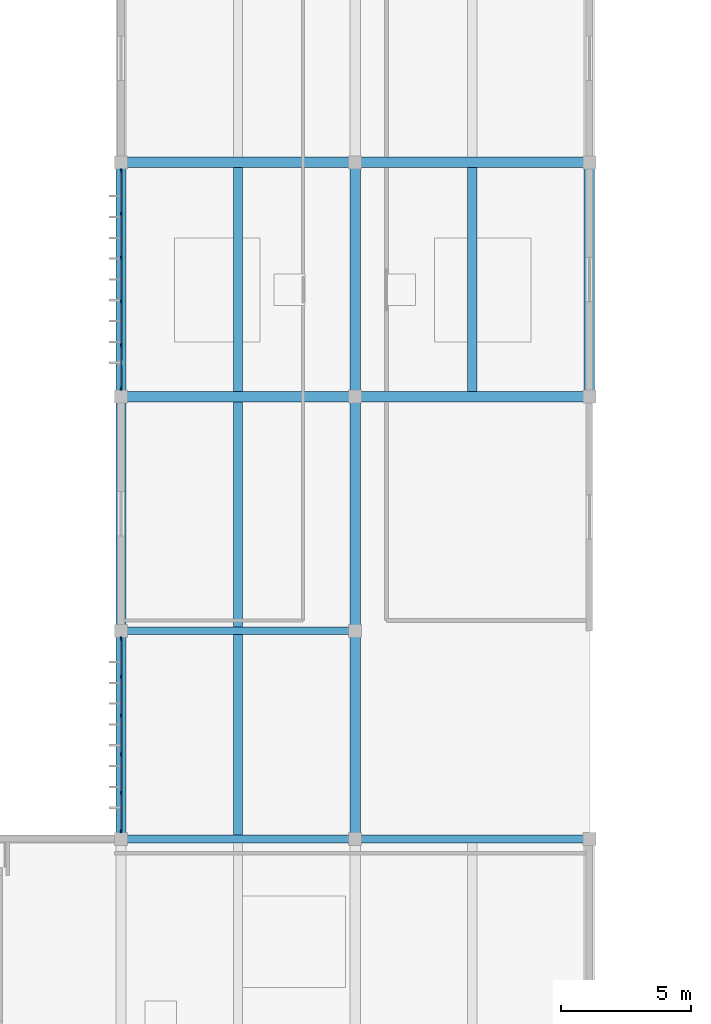
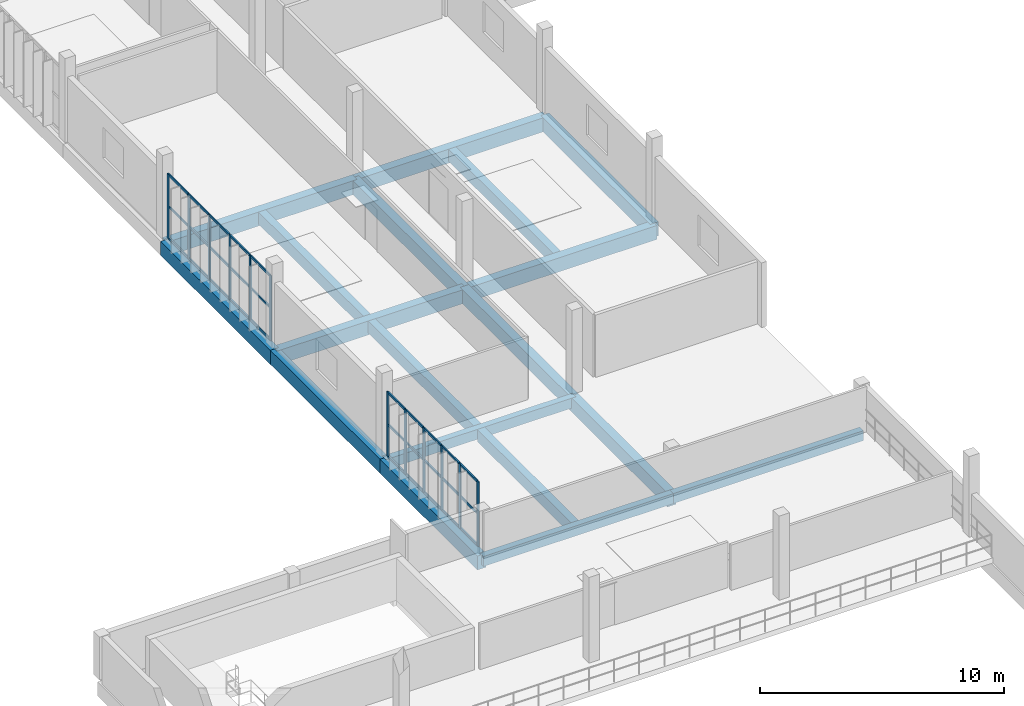
# One storey, part 2 of 27: 42 members, 18 beams, 2 elements without a shape of their own.
"""IFC4 building model written with IfcOpenShell, lengths in metres."""

from ifc_helpers import new_model, si_unit, direction, frame, origin, origin_2d, place, context, subcontext, project, spatial, rectangle, extrude, material, material_profile, profile_set, type_object, element, aggregate, save


model = new_model("IFC4")

# Units and contexts
model_context = context("Model", 3, precision=1e-05, world=origin(), true_north=direction((0.0, 1.0)))
body_context = subcontext(model_context, "Body", "Model", "MODEL_VIEW")
ifc_project = project(units=[si_unit("LENGTHUNIT", "METRE"), si_unit("AREAUNIT", "SQUARE_METRE"), si_unit("VOLUMEUNIT", "CUBIC_METRE"), si_unit("PLANEANGLEUNIT", "RADIAN"), si_unit("MASSUNIT", "GRAM", prefix="KILO")], contexts=[model_context])

# Site, building, storey
site_placement = place(None, origin())
site = spatial("IfcSite", under=ifc_project, at=site_placement, CompositionType="ELEMENT")
building_placement = place(site_placement, origin())
building = spatial("IfcBuilding", under=site, at=building_placement, Name="Vourika Railside Aquatics Centre", CompositionType="ELEMENT")
storey_placement = place(building_placement, frame((0.0, 0.0, 13.5)))
storey = spatial("IfcBuildingStorey", under=building, at=storey_placement, Name="L03", CompositionType="ELEMENT", Elevation=13.5)

# Beams
ifc_material_1 = material(Name="Concrete C35/45", Category="concrete")
ifc_material_profile_1 = material_profile(ifc_material_1, rectangle(XDim=0.39990234375, YDim=0.699951171875, at=origin_2d()), Name="RC 400x700")
ifc_profile_set_1 = profile_set([ifc_material_profile_1], Name="Concrete C35/45")
beam_type_1 = type_object("IfcBeamType", Name="BM-GIRD-400x700", PredefinedType="BEAM", material=ifc_profile_set_1)
for number, where, z_axis, x_axis, name in (
    (1, (18.0, 75.0, -0.610107421875), (1.0, 0.0, 0.0), (0.0, 1.0, 0.0), "Floor Beam GX-L03-026"),
    (2, (27.0, 75.0, -0.610107421875), (1.0, 0.0, 0.0), (0.0, 1.0, 0.0), "Floor Beam GX-L03-027"),
    (3, (18.0, 84.0, -0.610107421875), (1.0, 0.0, 0.0), (0.0, 1.0, 0.0), "Floor Beam GX-L03-031"),
    (4, (27.0, 84.0, -0.610107421875), (1.0, 0.0, 0.0), (0.0, 1.0, 0.0), "Floor Beam GX-L03-032"),
):
    element("IfcBeam", number, at=place(storey_placement, frame(where, z_axis=z_axis, x_axis=x_axis)), inside=storey, type_object=beam_type_1, Name=name, PredefinedType="BEAM", context=body_context, shape_type="SweptSolid", body=[
        extrude(rectangle(XDim=0.39990234375, YDim=0.699951171875, at=origin_2d()), origin(), (0.0, 0.0, 1.0), 9.0),
    ])
beam_1_placement = place(storey_placement, frame((18.0, 58.0, -0.610107421875), z_axis=(0.0, 1.0, 0.0), x_axis=(-1.0, 0.0, 0.0)))
element("IfcBeam", 5, at=beam_1_placement, inside=storey, type_object=beam_type_1, Name="Floor Girder GY-L03-105", PredefinedType="BEAM", context=body_context, shape_type="SweptSolid", body=[
    extrude(rectangle(XDim=0.39990234375, YDim=0.699951171875, at=origin_2d()), origin(), (0.0, 0.0, 1.0), 8.0),
])
for number, where, z_axis, x_axis, name in (
    (6, (18.0, 66.0, -0.610107421875), (0.0, 1.0, 0.0), (-1.0, 0.0, 0.0), "Floor Girder GY-L03-106"),
    (7, (18.0, 75.0, -0.610107421875), (0.0, 1.0, 0.0), (-1.0, 0.0, 0.0), "Floor Girder GY-L03-107"),
):
    element("IfcBeam", number, at=place(storey_placement, frame(where, z_axis=z_axis, x_axis=x_axis)), inside=storey, type_object=beam_type_1, Name=name, PredefinedType="BEAM", context=body_context, shape_type="SweptSolid", body=[
        extrude(rectangle(XDim=0.39990234375, YDim=0.699951171875, at=origin_2d()), origin(), (0.0, 0.0, 1.0), 9.0),
    ])
beam_2_placement = place(storey_placement, frame((27.0, 58.0, -0.610107421875), z_axis=(0.0, 1.0, 0.0), x_axis=(-1.0, 0.0, 0.0)))
element("IfcBeam", 8, at=beam_2_placement, inside=storey, type_object=beam_type_1, Name="Floor Girder GY-L03-113", PredefinedType="BEAM", context=body_context, shape_type="SweptSolid", body=[
    extrude(rectangle(XDim=0.39990234375, YDim=0.699951171875, at=origin_2d()), origin(), (0.0, 0.0, 1.0), 8.0),
])
for number, where, z_axis, x_axis, name in (
    (9, (27.0, 66.0, -0.610107421875), (0.0, 1.0, 0.0), (-1.0, 0.0, 0.0), "Floor Girder GY-L03-114"),
    (10, (27.0, 75.0, -0.610107421875), (0.0, 1.0, 0.0), (-1.0, 0.0, 0.0), "Floor Girder GY-L03-115"),
    (11, (36.0, 75.0, -0.610107421875), (0.0, 1.0, 0.0), (-1.0, 0.0, 0.0), "Floor Girder GY-L03-123"),
):
    element("IfcBeam", number, at=place(storey_placement, frame(where, z_axis=z_axis, x_axis=x_axis)), inside=storey, type_object=beam_type_1, Name=name, PredefinedType="BEAM", context=body_context, shape_type="SweptSolid", body=[
        extrude(rectangle(XDim=0.39990234375, YDim=0.699951171875, at=origin_2d()), origin(), (0.0, 0.0, 1.0), 9.0),
    ])
ifc_material_profile_2 = material_profile(ifc_material_1, rectangle(XDim=0.35009765625, YDim=0.60009765625, at=origin_2d()), Name="RC 350x600")
ifc_profile_set_2 = profile_set([ifc_material_profile_2], Name="Concrete C35/45")
beam_type_2 = type_object("IfcBeamType", Name="BM-SEC-350x600", PredefinedType="JOIST", material=ifc_profile_set_2)
beam_3_placement = place(storey_placement, frame((22.5, 58.14990234375, -0.56005859375), z_axis=(0.0, 1.0, 0.0), x_axis=(-1.0, 0.0, 0.0)))
element("IfcBeam", 12, at=beam_3_placement, inside=storey, type_object=beam_type_2, Name="Secondary Joist JY-L03-196", PredefinedType="JOIST", context=body_context, shape_type="SweptSolid", body=[
    extrude(rectangle(XDim=0.35009765625, YDim=0.60009765625, at=origin_2d()), origin(), (0.0, 0.0, 1.0), 7.7001953125),
])
beam_4_placement = place(storey_placement, frame((22.5, 66.14990234375, -0.56005859375), z_axis=(0.0, 1.0, 0.0), x_axis=(-1.0, 0.0, 0.0)))
element("IfcBeam", 13, at=beam_4_placement, inside=storey, type_object=beam_type_2, Name="Secondary Joist JY-L03-200", PredefinedType="JOIST", context=body_context, shape_type="SweptSolid", body=[
    extrude(rectangle(XDim=0.35009765625, YDim=0.60009765625, at=origin_2d()), origin(), (0.0, 0.0, 1.0), 8.650146484375),
])
for number, where, z_axis, x_axis, name in (
    (14, (22.5, 75.199951171875, -0.56005859375), (0.0, 1.0, 0.0), (-1.0, 0.0, 0.0), "Secondary Joist JY-L03-204"),
    (15, (31.5, 75.199951171875, -0.56005859375), (0.0, 1.0, 0.0), (-1.0, 0.0, 0.0), "Secondary Joist JY-L03-205"),
):
    element("IfcBeam", number, at=place(storey_placement, frame(where, z_axis=z_axis, x_axis=x_axis)), inside=storey, type_object=beam_type_2, Name=name, PredefinedType="JOIST", context=body_context, shape_type="SweptSolid", body=[
        extrude(rectangle(XDim=0.35009765625, YDim=0.60009765625, at=origin_2d()), origin(), (0.0, 0.0, 1.0), 8.60009765625),
    ])
ifc_material_profile_3 = material_profile(ifc_material_1, rectangle(XDim=0.300048828125, YDim=0.5, at=origin_2d()), Name="RC 300x500")
ifc_profile_set_3 = profile_set([ifc_material_profile_3], Name="Concrete C35/45")
beam_type_3 = type_object("IfcBeamType", Name="BM-SPAN-300x500", PredefinedType="SPANDREL", material=ifc_profile_set_3)
for number, where, z_axis, x_axis, name in (
    (16, (18.0, 58.0, -0.510009765625), (1.0, 0.0, 0.0), (0.0, 1.0, 0.0), "Floor Beam GX-L03-017"),
    (17, (27.0, 58.0, -0.510009765625), (1.0, 0.0, 0.0), (0.0, 1.0, 0.0), "Floor Beam GX-L03-018"),
    (18, (18.0, 66.0, -0.510009765625), (1.0, 0.0, 0.0), (0.0, 1.0, 0.0), "Floor Beam GX-L03-022"),
):
    element("IfcBeam", number, at=place(storey_placement, frame(where, z_axis=z_axis, x_axis=x_axis)), inside=storey, type_object=beam_type_3, Name=name, PredefinedType="SPANDREL", context=body_context, shape_type="SweptSolid", body=[
        extrude(rectangle(XDim=0.300048828125, YDim=0.5, at=origin_2d()), origin(), (0.0, 0.0, 1.0), 9.0),
    ])

# Curtain wall, members
ifc_material_2 = material(Name="Anodized thermally broken aluminium", Category="aluminium")
curtain_wall_type = type_object("IfcCurtainWallType", Name="CW-FIT3", PredefinedType="NOTDEFINED", material=ifc_material_2)
curtain_wall_1_placement = place(storey_placement, origin())
curtain_wall_1 = element("IfcCurtainWall", 19, at=curtain_wall_1_placement, inside=storey, type_object=curtain_wall_type, Name="Fitness West Boulevard Curtain Wall L03-1", PredefinedType="NOTDEFINED")
ifc_material_3 = material(Name="Anodized aluminium mullion", Category="aluminium")
ifc_material_profile_4 = material_profile(ifc_material_3, rectangle(XDim=0.05810546875, YDim=0.14208984375, at=origin_2d()), Name="ALU-M 58x142")
ifc_profile_set_4 = profile_set([ifc_material_profile_4], Name="Anodized aluminium mullion")
member_type_1 = type_object("IfcMemberType", Name="CWM-FIT3", PredefinedType="MULLION", material=ifc_profile_set_4)
member_1_placement = place(storey_placement, frame((18.0, 65.69091796875, 0.0), z_axis=(0.0, 0.0, 1.0), x_axis=(1.0, 0.0, 0.0)))
member_1 = element("IfcMember", 20, at=member_1_placement, type_object=member_type_1, Name="CW17 mullion 1", PredefinedType="MULLION", context=body_context, shape_type="SweptSolid", body=[
    extrude(rectangle(XDim=0.05810546875, YDim=0.14208984375, at=origin_2d()), origin(), (0.0, 0.0, 1.0), 3.239990234375),
])
member_2_placement = place(storey_placement, frame((18.0, 64.23193359375, 0.0), z_axis=(0.0, 0.0, 1.0), x_axis=(1.0, 0.0, 0.0)))
member_2 = element("IfcMember", 21, at=member_2_placement, type_object=member_type_1, Name="CW17 mullion 2", PredefinedType="MULLION", context=body_context, shape_type="SweptSolid", body=[
    extrude(rectangle(XDim=0.05810546875, YDim=0.14208984375, at=origin_2d()), origin(), (0.0, 0.0, 1.0), 3.239990234375),
])
member_3_placement = place(storey_placement, frame((18.0, 62.743896484375, 0.0), z_axis=(0.0, 0.0, 1.0), x_axis=(1.0, 0.0, 0.0)))
member_3 = element("IfcMember", 22, at=member_3_placement, type_object=member_type_1, Name="CW17 mullion 3", PredefinedType="MULLION", context=body_context, shape_type="SweptSolid", body=[
    extrude(rectangle(XDim=0.05810546875, YDim=0.14208984375, at=origin_2d()), origin(), (0.0, 0.0, 1.0), 3.239990234375),
])
member_4_placement = place(storey_placement, frame((18.0, 61.256103515625, 0.0), z_axis=(0.0, 0.0, 1.0), x_axis=(1.0, 0.0, 0.0)))
member_4 = element("IfcMember", 23, at=member_4_placement, type_object=member_type_1, Name="CW17 mullion 4", PredefinedType="MULLION", context=body_context, shape_type="SweptSolid", body=[
    extrude(rectangle(XDim=0.05810546875, YDim=0.14208984375, at=origin_2d()), origin(), (0.0, 0.0, 1.0), 3.239990234375),
])
member_5_placement = place(storey_placement, frame((18.0, 59.76806640625, 0.0), z_axis=(0.0, 0.0, 1.0), x_axis=(1.0, 0.0, 0.0)))
member_5 = element("IfcMember", 24, at=member_5_placement, type_object=member_type_1, Name="CW17 mullion 5", PredefinedType="MULLION", context=body_context, shape_type="SweptSolid", body=[
    extrude(rectangle(XDim=0.05810546875, YDim=0.14208984375, at=origin_2d()), origin(), (0.0, 0.0, 1.0), 3.239990234375),
])
member_6_placement = place(storey_placement, frame((18.0, 58.30908203125, 0.0), z_axis=(0.0, 0.0, 1.0), x_axis=(1.0, 0.0, 0.0)))
member_6 = element("IfcMember", 25, at=member_6_placement, type_object=member_type_1, Name="CW17 mullion 6", PredefinedType="MULLION", context=body_context, shape_type="SweptSolid", body=[
    extrude(rectangle(XDim=0.05810546875, YDim=0.14208984375, at=origin_2d()), origin(), (0.0, 0.0, 1.0), 3.239990234375),
])

curtain_wall_2_placement = place(storey_placement, origin())
curtain_wall_2 = element("IfcCurtainWall", 26, at=curtain_wall_2_placement, inside=storey, type_object=curtain_wall_type, Name="Fitness West Boulevard Curtain Wall L03-3", PredefinedType="NOTDEFINED")
member_7_placement = place(storey_placement, frame((18.0, 83.69091796875, 0.0), z_axis=(0.0, 0.0, 1.0), x_axis=(1.0, 0.0, 0.0)))
member_7 = element("IfcMember", 27, at=member_7_placement, type_object=member_type_1, Name="CW17 mullion 1", PredefinedType="MULLION", context=body_context, shape_type="SweptSolid", body=[
    extrude(rectangle(XDim=0.05810546875, YDim=0.14208984375, at=origin_2d()), origin(), (0.0, 0.0, 1.0), 3.239990234375),
])
member_8_placement = place(storey_placement, frame((18.0, 82.031982421875, 0.0), z_axis=(0.0, 0.0, 1.0), x_axis=(1.0, 0.0, 0.0)))
member_8 = element("IfcMember", 28, at=member_8_placement, type_object=member_type_1, Name="CW17 mullion 2", PredefinedType="MULLION", context=body_context, shape_type="SweptSolid", body=[
    extrude(rectangle(XDim=0.05810546875, YDim=0.14208984375, at=origin_2d()), origin(), (0.0, 0.0, 1.0), 3.239990234375),
])
member_9_placement = place(storey_placement, frame((18.0, 80.343994140625, 0.0), z_axis=(0.0, 0.0, 1.0), x_axis=(1.0, 0.0, 0.0)))
member_9 = element("IfcMember", 29, at=member_9_placement, type_object=member_type_1, Name="CW17 mullion 3", PredefinedType="MULLION", context=body_context, shape_type="SweptSolid", body=[
    extrude(rectangle(XDim=0.05810546875, YDim=0.14208984375, at=origin_2d()), origin(), (0.0, 0.0, 1.0), 3.239990234375),
])
member_10_placement = place(storey_placement, frame((18.0, 78.656005859375, 0.0), z_axis=(0.0, 0.0, 1.0), x_axis=(1.0, 0.0, 0.0)))
member_10 = element("IfcMember", 30, at=member_10_placement, type_object=member_type_1, Name="CW17 mullion 4", PredefinedType="MULLION", context=body_context, shape_type="SweptSolid", body=[
    extrude(rectangle(XDim=0.05810546875, YDim=0.14208984375, at=origin_2d()), origin(), (0.0, 0.0, 1.0), 3.239990234375),
])
member_11_placement = place(storey_placement, frame((18.0, 76.968017578125, 0.0), z_axis=(0.0, 0.0, 1.0), x_axis=(1.0, 0.0, 0.0)))
member_11 = element("IfcMember", 31, at=member_11_placement, type_object=member_type_1, Name="CW17 mullion 5", PredefinedType="MULLION", context=body_context, shape_type="SweptSolid", body=[
    extrude(rectangle(XDim=0.05810546875, YDim=0.14208984375, at=origin_2d()), origin(), (0.0, 0.0, 1.0), 3.239990234375),
])
member_12_placement = place(storey_placement, frame((18.0, 75.30908203125, 0.0), z_axis=(0.0, 0.0, 1.0), x_axis=(1.0, 0.0, 0.0)))
member_12 = element("IfcMember", 32, at=member_12_placement, type_object=member_type_1, Name="CW17 mullion 6", PredefinedType="MULLION", context=body_context, shape_type="SweptSolid", body=[
    extrude(rectangle(XDim=0.05810546875, YDim=0.14208984375, at=origin_2d()), origin(), (0.0, 0.0, 1.0), 3.239990234375),
])

# Member
ifc_material_4 = material(Name="Anodized aluminium transom", Category="aluminium")
ifc_material_profile_5 = material_profile(ifc_material_4, rectangle(XDim=0.05810546875, YDim=0.112060546875, at=origin_2d()), Name="ALU-T 58x112")
ifc_profile_set_5 = profile_set([ifc_material_profile_5], Name="Anodized aluminium transom")
member_type_2 = type_object("IfcMemberType", Name="CWT-FIT3", PredefinedType="USERDEFINED", material=ifc_profile_set_5)
member_13_placement = place(storey_placement, frame((18.0, 65.662109375, 0.029052734375), z_axis=(0.0, -1.0, 0.0), x_axis=(1.0, 0.0, 0.0)))
member_13 = element("IfcMember", 33, at=member_13_placement, type_object=member_type_2, Name="CW17 transom 1.1", ObjectType="TRANSOM", PredefinedType="USERDEFINED", context=body_context, shape_type="SweptSolid", body=[
    extrude(rectangle(XDim=0.05810546875, YDim=0.112060546875, at=origin_2d()), origin(), (0.0, 0.0, 1.0), 1.401123046875),
])

member_14_placement = place(storey_placement, frame((18.0, 65.662109375, 1.6201171875), z_axis=(0.0, -1.0, 0.0), x_axis=(1.0, 0.0, 0.0)))
member_14 = element("IfcMember", 34, at=member_14_placement, type_object=member_type_2, Name="CW17 transom 1.2", ObjectType="TRANSOM", PredefinedType="USERDEFINED", context=body_context, shape_type="SweptSolid", body=[
    extrude(rectangle(XDim=0.05810546875, YDim=0.112060546875, at=origin_2d()), origin(), (0.0, 0.0, 1.0), 1.401123046875),
])

member_15_placement = place(storey_placement, frame((18.0, 65.662109375, 3.2109375), z_axis=(0.0, -1.0, 0.0), x_axis=(1.0, 0.0, 0.0)))
member_15 = element("IfcMember", 35, at=member_15_placement, type_object=member_type_2, Name="CW17 transom 1.3", ObjectType="TRANSOM", PredefinedType="USERDEFINED", context=body_context, shape_type="SweptSolid", body=[
    extrude(rectangle(XDim=0.05810546875, YDim=0.112060546875, at=origin_2d()), origin(), (0.0, 0.0, 1.0), 1.401123046875),
])

member_16_placement = place(storey_placement, frame((18.0, 64.202880859375, 0.029052734375), z_axis=(0.0, -1.0, 0.0), x_axis=(1.0, 0.0, 0.0)))
member_16 = element("IfcMember", 36, at=member_16_placement, type_object=member_type_2, Name="CW17 transom 2.1", ObjectType="TRANSOM", PredefinedType="USERDEFINED", context=body_context, shape_type="SweptSolid", body=[
    extrude(rectangle(XDim=0.05810546875, YDim=0.112060546875, at=origin_2d()), origin(), (0.0, 0.0, 1.0), 1.429931640625),
])

member_17_placement = place(storey_placement, frame((18.0, 64.202880859375, 1.6201171875), z_axis=(0.0, -1.0, 0.0), x_axis=(1.0, 0.0, 0.0)))
member_17 = element("IfcMember", 37, at=member_17_placement, type_object=member_type_2, Name="CW17 transom 2.2", ObjectType="TRANSOM", PredefinedType="USERDEFINED", context=body_context, shape_type="SweptSolid", body=[
    extrude(rectangle(XDim=0.05810546875, YDim=0.112060546875, at=origin_2d()), origin(), (0.0, 0.0, 1.0), 1.429931640625),
])

member_18_placement = place(storey_placement, frame((18.0, 64.202880859375, 3.2109375), z_axis=(0.0, -1.0, 0.0), x_axis=(1.0, 0.0, 0.0)))
member_18 = element("IfcMember", 38, at=member_18_placement, type_object=member_type_2, Name="CW17 transom 2.3", ObjectType="TRANSOM", PredefinedType="USERDEFINED", context=body_context, shape_type="SweptSolid", body=[
    extrude(rectangle(XDim=0.05810546875, YDim=0.112060546875, at=origin_2d()), origin(), (0.0, 0.0, 1.0), 1.429931640625),
])

member_19_placement = place(storey_placement, frame((18.0, 62.715087890625, 0.029052734375), z_axis=(0.0, -1.0, 0.0), x_axis=(1.0, 0.0, 0.0)))
member_19 = element("IfcMember", 39, at=member_19_placement, type_object=member_type_2, Name="CW17 transom 3.1", ObjectType="TRANSOM", PredefinedType="USERDEFINED", context=body_context, shape_type="SweptSolid", body=[
    extrude(rectangle(XDim=0.05810546875, YDim=0.112060546875, at=origin_2d()), origin(), (0.0, 0.0, 1.0), 1.43017578125),
])

member_20_placement = place(storey_placement, frame((18.0, 62.715087890625, 1.6201171875), z_axis=(0.0, -1.0, 0.0), x_axis=(1.0, 0.0, 0.0)))
member_20 = element("IfcMember", 40, at=member_20_placement, type_object=member_type_2, Name="CW17 transom 3.2", ObjectType="TRANSOM", PredefinedType="USERDEFINED", context=body_context, shape_type="SweptSolid", body=[
    extrude(rectangle(XDim=0.05810546875, YDim=0.112060546875, at=origin_2d()), origin(), (0.0, 0.0, 1.0), 1.43017578125),
])

member_21_placement = place(storey_placement, frame((18.0, 62.715087890625, 3.2109375), z_axis=(0.0, -1.0, 0.0), x_axis=(1.0, 0.0, 0.0)))
member_21 = element("IfcMember", 41, at=member_21_placement, type_object=member_type_2, Name="CW17 transom 3.3", ObjectType="TRANSOM", PredefinedType="USERDEFINED", context=body_context, shape_type="SweptSolid", body=[
    extrude(rectangle(XDim=0.05810546875, YDim=0.112060546875, at=origin_2d()), origin(), (0.0, 0.0, 1.0), 1.43017578125),
])

member_22_placement = place(storey_placement, frame((18.0, 61.22705078125, 0.029052734375), z_axis=(0.0, -1.0, 0.0), x_axis=(1.0, 0.0, 0.0)))
member_22 = element("IfcMember", 42, at=member_22_placement, type_object=member_type_2, Name="CW17 transom 4.1", ObjectType="TRANSOM", PredefinedType="USERDEFINED", context=body_context, shape_type="SweptSolid", body=[
    extrude(rectangle(XDim=0.05810546875, YDim=0.112060546875, at=origin_2d()), origin(), (0.0, 0.0, 1.0), 1.429931640625),
])

member_23_placement = place(storey_placement, frame((18.0, 61.22705078125, 1.6201171875), z_axis=(0.0, -1.0, 0.0), x_axis=(1.0, 0.0, 0.0)))
member_23 = element("IfcMember", 43, at=member_23_placement, type_object=member_type_2, Name="CW17 transom 4.2", ObjectType="TRANSOM", PredefinedType="USERDEFINED", context=body_context, shape_type="SweptSolid", body=[
    extrude(rectangle(XDim=0.05810546875, YDim=0.112060546875, at=origin_2d()), origin(), (0.0, 0.0, 1.0), 1.429931640625),
])

member_24_placement = place(storey_placement, frame((18.0, 61.22705078125, 3.2109375), z_axis=(0.0, -1.0, 0.0), x_axis=(1.0, 0.0, 0.0)))
member_24 = element("IfcMember", 44, at=member_24_placement, type_object=member_type_2, Name="CW17 transom 4.3", ObjectType="TRANSOM", PredefinedType="USERDEFINED", context=body_context, shape_type="SweptSolid", body=[
    extrude(rectangle(XDim=0.05810546875, YDim=0.112060546875, at=origin_2d()), origin(), (0.0, 0.0, 1.0), 1.429931640625),
])

member_25_placement = place(storey_placement, frame((18.0, 59.739013671875, 0.029052734375), z_axis=(0.0, -1.0, 0.0), x_axis=(1.0, 0.0, 0.0)))
member_25 = element("IfcMember", 45, at=member_25_placement, type_object=member_type_2, Name="CW17 transom 5.1", ObjectType="TRANSOM", PredefinedType="USERDEFINED", context=body_context, shape_type="SweptSolid", body=[
    extrude(rectangle(XDim=0.05810546875, YDim=0.112060546875, at=origin_2d()), origin(), (0.0, 0.0, 1.0), 1.401123046875),
])

member_26_placement = place(storey_placement, frame((18.0, 59.739013671875, 1.6201171875), z_axis=(0.0, -1.0, 0.0), x_axis=(1.0, 0.0, 0.0)))
member_26 = element("IfcMember", 46, at=member_26_placement, type_object=member_type_2, Name="CW17 transom 5.2", ObjectType="TRANSOM", PredefinedType="USERDEFINED", context=body_context, shape_type="SweptSolid", body=[
    extrude(rectangle(XDim=0.05810546875, YDim=0.112060546875, at=origin_2d()), origin(), (0.0, 0.0, 1.0), 1.401123046875),
])

member_27_placement = place(storey_placement, frame((18.0, 59.739013671875, 3.2109375), z_axis=(0.0, -1.0, 0.0), x_axis=(1.0, 0.0, 0.0)))
member_27 = element("IfcMember", 47, at=member_27_placement, type_object=member_type_2, Name="CW17 transom 5.3", ObjectType="TRANSOM", PredefinedType="USERDEFINED", context=body_context, shape_type="SweptSolid", body=[
    extrude(rectangle(XDim=0.05810546875, YDim=0.112060546875, at=origin_2d()), origin(), (0.0, 0.0, 1.0), 1.401123046875),
])

aggregate(curtain_wall_1, [member_1, member_2, member_3, member_4, member_5, member_6, member_13, member_14, member_15, member_16, member_17, member_18, member_19, member_20, member_21, member_22, member_23, member_24, member_25, member_26, member_27])

member_28_placement = place(storey_placement, frame((18.0, 83.662109375, 0.029052734375), z_axis=(0.0, -1.0, 0.0), x_axis=(1.0, 0.0, 0.0)))
member_28 = element("IfcMember", 48, at=member_28_placement, type_object=member_type_2, Name="CW17 transom 1.1", ObjectType="TRANSOM", PredefinedType="USERDEFINED", context=body_context, shape_type="SweptSolid", body=[
    extrude(rectangle(XDim=0.05810546875, YDim=0.112060546875, at=origin_2d()), origin(), (0.0, 0.0, 1.0), 1.60107421875),
])

member_29_placement = place(storey_placement, frame((18.0, 83.662109375, 1.6201171875), z_axis=(0.0, -1.0, 0.0), x_axis=(1.0, 0.0, 0.0)))
member_29 = element("IfcMember", 49, at=member_29_placement, type_object=member_type_2, Name="CW17 transom 1.2", ObjectType="TRANSOM", PredefinedType="USERDEFINED", context=body_context, shape_type="SweptSolid", body=[
    extrude(rectangle(XDim=0.05810546875, YDim=0.112060546875, at=origin_2d()), origin(), (0.0, 0.0, 1.0), 1.60107421875),
])

member_30_placement = place(storey_placement, frame((18.0, 83.662109375, 3.2109375), z_axis=(0.0, -1.0, 0.0), x_axis=(1.0, 0.0, 0.0)))
member_30 = element("IfcMember", 50, at=member_30_placement, type_object=member_type_2, Name="CW17 transom 1.3", ObjectType="TRANSOM", PredefinedType="USERDEFINED", context=body_context, shape_type="SweptSolid", body=[
    extrude(rectangle(XDim=0.05810546875, YDim=0.112060546875, at=origin_2d()), origin(), (0.0, 0.0, 1.0), 1.60107421875),
])

member_31_placement = place(storey_placement, frame((18.0, 82.0029296875, 0.029052734375), z_axis=(0.0, -1.0, 0.0), x_axis=(1.0, 0.0, 0.0)))
member_31 = element("IfcMember", 51, at=member_31_placement, type_object=member_type_2, Name="CW17 transom 2.1", ObjectType="TRANSOM", PredefinedType="USERDEFINED", context=body_context, shape_type="SweptSolid", body=[
    extrude(rectangle(XDim=0.05810546875, YDim=0.112060546875, at=origin_2d()), origin(), (0.0, 0.0, 1.0), 1.6298828125),
])

member_32_placement = place(storey_placement, frame((18.0, 82.0029296875, 1.6201171875), z_axis=(0.0, -1.0, 0.0), x_axis=(1.0, 0.0, 0.0)))
member_32 = element("IfcMember", 52, at=member_32_placement, type_object=member_type_2, Name="CW17 transom 2.2", ObjectType="TRANSOM", PredefinedType="USERDEFINED", context=body_context, shape_type="SweptSolid", body=[
    extrude(rectangle(XDim=0.05810546875, YDim=0.112060546875, at=origin_2d()), origin(), (0.0, 0.0, 1.0), 1.6298828125),
])

member_33_placement = place(storey_placement, frame((18.0, 82.0029296875, 3.2109375), z_axis=(0.0, -1.0, 0.0), x_axis=(1.0, 0.0, 0.0)))
member_33 = element("IfcMember", 53, at=member_33_placement, type_object=member_type_2, Name="CW17 transom 2.3", ObjectType="TRANSOM", PredefinedType="USERDEFINED", context=body_context, shape_type="SweptSolid", body=[
    extrude(rectangle(XDim=0.05810546875, YDim=0.112060546875, at=origin_2d()), origin(), (0.0, 0.0, 1.0), 1.6298828125),
])

member_34_placement = place(storey_placement, frame((18.0, 80.31494140625, 0.029052734375), z_axis=(0.0, -1.0, 0.0), x_axis=(1.0, 0.0, 0.0)))
member_34 = element("IfcMember", 54, at=member_34_placement, type_object=member_type_2, Name="CW17 transom 3.1", ObjectType="TRANSOM", PredefinedType="USERDEFINED", context=body_context, shape_type="SweptSolid", body=[
    extrude(rectangle(XDim=0.05810546875, YDim=0.112060546875, at=origin_2d()), origin(), (0.0, 0.0, 1.0), 1.6298828125),
])

member_35_placement = place(storey_placement, frame((18.0, 80.31494140625, 1.6201171875), z_axis=(0.0, -1.0, 0.0), x_axis=(1.0, 0.0, 0.0)))
member_35 = element("IfcMember", 55, at=member_35_placement, type_object=member_type_2, Name="CW17 transom 3.2", ObjectType="TRANSOM", PredefinedType="USERDEFINED", context=body_context, shape_type="SweptSolid", body=[
    extrude(rectangle(XDim=0.05810546875, YDim=0.112060546875, at=origin_2d()), origin(), (0.0, 0.0, 1.0), 1.6298828125),
])

member_36_placement = place(storey_placement, frame((18.0, 80.31494140625, 3.2109375), z_axis=(0.0, -1.0, 0.0), x_axis=(1.0, 0.0, 0.0)))
member_36 = element("IfcMember", 56, at=member_36_placement, type_object=member_type_2, Name="CW17 transom 3.3", ObjectType="TRANSOM", PredefinedType="USERDEFINED", context=body_context, shape_type="SweptSolid", body=[
    extrude(rectangle(XDim=0.05810546875, YDim=0.112060546875, at=origin_2d()), origin(), (0.0, 0.0, 1.0), 1.6298828125),
])

member_37_placement = place(storey_placement, frame((18.0, 78.626953125, 0.029052734375), z_axis=(0.0, -1.0, 0.0), x_axis=(1.0, 0.0, 0.0)))
member_37 = element("IfcMember", 57, at=member_37_placement, type_object=member_type_2, Name="CW17 transom 4.1", ObjectType="TRANSOM", PredefinedType="USERDEFINED", context=body_context, shape_type="SweptSolid", body=[
    extrude(rectangle(XDim=0.05810546875, YDim=0.112060546875, at=origin_2d()), origin(), (0.0, 0.0, 1.0), 1.6298828125),
])

member_38_placement = place(storey_placement, frame((18.0, 78.626953125, 1.6201171875), z_axis=(0.0, -1.0, 0.0), x_axis=(1.0, 0.0, 0.0)))
member_38 = element("IfcMember", 58, at=member_38_placement, type_object=member_type_2, Name="CW17 transom 4.2", ObjectType="TRANSOM", PredefinedType="USERDEFINED", context=body_context, shape_type="SweptSolid", body=[
    extrude(rectangle(XDim=0.05810546875, YDim=0.112060546875, at=origin_2d()), origin(), (0.0, 0.0, 1.0), 1.6298828125),
])

member_39_placement = place(storey_placement, frame((18.0, 78.626953125, 3.2109375), z_axis=(0.0, -1.0, 0.0), x_axis=(1.0, 0.0, 0.0)))
member_39 = element("IfcMember", 59, at=member_39_placement, type_object=member_type_2, Name="CW17 transom 4.3", ObjectType="TRANSOM", PredefinedType="USERDEFINED", context=body_context, shape_type="SweptSolid", body=[
    extrude(rectangle(XDim=0.05810546875, YDim=0.112060546875, at=origin_2d()), origin(), (0.0, 0.0, 1.0), 1.6298828125),
])

member_40_placement = place(storey_placement, frame((18.0, 76.93896484375, 0.029052734375), z_axis=(0.0, -1.0, 0.0), x_axis=(1.0, 0.0, 0.0)))
member_40 = element("IfcMember", 60, at=member_40_placement, type_object=member_type_2, Name="CW17 transom 5.1", ObjectType="TRANSOM", PredefinedType="USERDEFINED", context=body_context, shape_type="SweptSolid", body=[
    extrude(rectangle(XDim=0.05810546875, YDim=0.112060546875, at=origin_2d()), origin(), (0.0, 0.0, 1.0), 1.60107421875),
])

member_41_placement = place(storey_placement, frame((18.0, 76.93896484375, 1.6201171875), z_axis=(0.0, -1.0, 0.0), x_axis=(1.0, 0.0, 0.0)))
member_41 = element("IfcMember", 61, at=member_41_placement, type_object=member_type_2, Name="CW17 transom 5.2", ObjectType="TRANSOM", PredefinedType="USERDEFINED", context=body_context, shape_type="SweptSolid", body=[
    extrude(rectangle(XDim=0.05810546875, YDim=0.112060546875, at=origin_2d()), origin(), (0.0, 0.0, 1.0), 1.60107421875),
])

member_42_placement = place(storey_placement, frame((18.0, 76.93896484375, 3.2109375), z_axis=(0.0, -1.0, 0.0), x_axis=(1.0, 0.0, 0.0)))
member_42 = element("IfcMember", 62, at=member_42_placement, type_object=member_type_2, Name="CW17 transom 5.3", ObjectType="TRANSOM", PredefinedType="USERDEFINED", context=body_context, shape_type="SweptSolid", body=[
    extrude(rectangle(XDim=0.05810546875, YDim=0.112060546875, at=origin_2d()), origin(), (0.0, 0.0, 1.0), 1.60107421875),
])

aggregate(curtain_wall_2, [member_7, member_8, member_9, member_10, member_11, member_12, member_28, member_29, member_30, member_31, member_32, member_33, member_34, member_35, member_36, member_37, member_38, member_39, member_40, member_41, member_42])

save(model, "model.ifc")
